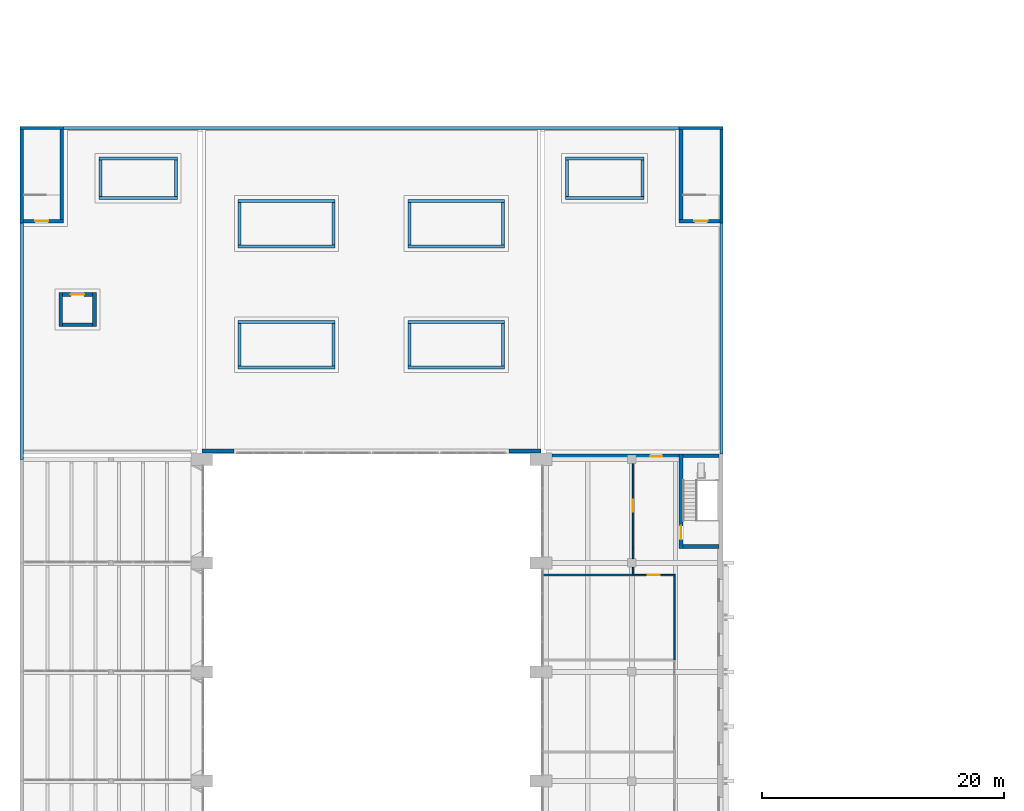
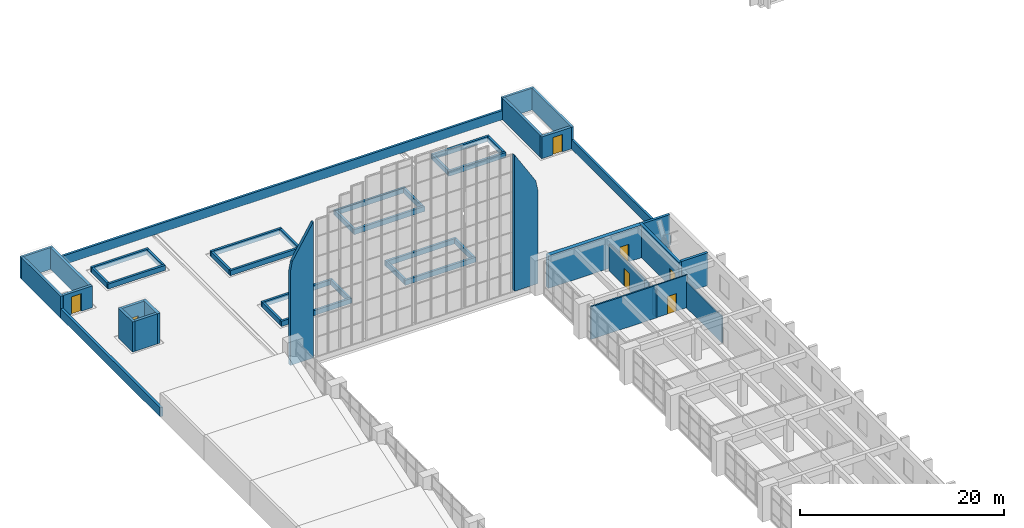
# One storey, part 33 of 43: 51 walls, 7 doors, 7 openings.
"""IFC4 building model written with IfcOpenShell, lengths in metres."""

from ifc_helpers import new_model, si_unit, direction, frame, frame_2d, origin, place, context, subcontext, project, spatial, polyline, rectangle, outline, extrude, material, layer, layer_set, type_object, element, fill, save


model = new_model("IFC4")

# Units and contexts
model_context = context("Model", 3, precision=1e-05, world=origin(), true_north=direction((0.0, 1.0)))
body_context = subcontext(model_context, "Body", "Model", "MODEL_VIEW")
ifc_project = project(units=[si_unit("LENGTHUNIT", "METRE"), si_unit("AREAUNIT", "SQUARE_METRE"), si_unit("VOLUMEUNIT", "CUBIC_METRE"), si_unit("PLANEANGLEUNIT", "RADIAN"), si_unit("MASSUNIT", "GRAM", prefix="KILO")], contexts=[model_context])

# Site, building, storey
site_placement = place(None, origin())
site = spatial("IfcSite", under=ifc_project, at=site_placement, CompositionType="ELEMENT")
building_placement = place(site_placement, origin())
building = spatial("IfcBuilding", under=site, at=building_placement, Name="Elmora Arch Market Hall", CompositionType="ELEMENT")
storey_placement = place(building_placement, frame((0.0, 0.0, 10.199951171875)))
storey = spatial("IfcBuildingStorey", under=building, at=storey_placement, Name="L02", CompositionType="ELEMENT", Elevation=10.199951171875)

# Walls
ifc_material_1 = material(Name="Concrete C40/50", Category="concrete")
ifc_layer_1 = layer(ifc_material_1, 0.35009765625)
ifc_layer_set_1 = layer_set([ifc_layer_1], Name="Concrete C40/50")
wall_type_1 = type_object("IfcWallType", Name="Board-marked concrete wall 350", PredefinedType="SOLIDWALL", material=ifc_layer_set_1)
for number, where, z_axis, x_axis, name in (
    (1, (15.0, 99.22509765625, 0.60009765625), (0.0, 0.0, 1.0), (1.0, 0.0, 0.0), "North gable cheek wall W"),
    (2, (43.0, 99.22509765625, 0.60009765625), (0.0, 0.0, 1.0), (-1.0, 0.0, 0.0), "North gable cheek wall E"),
):
    element("IfcWall", number, at=place(storey_placement, frame(where, z_axis=z_axis, x_axis=x_axis)), inside=storey, type_object=wall_type_1, Name=name, PredefinedType="SOLIDWALL", context=body_context, shape_type="SweptSolid", body=[
        extrude(outline(polyline([(0.0, 0.0), (2.64990234375, 0.0), (2.64990234375, 16.2373046875), (2.549560546875, 16.163330078125), (0.23046875, 12.368408203125), (0.0, 11.133056640625), (0.0, 0.0)])), frame((0.0, 0.175048828125, 0.0), z_axis=(0.0, -1.0, 0.0), x_axis=(1.0, 0.0, 0.0)), (0.0, 0.0, 1.0), 0.35009765625),
    ])

# Wall, opening, door
ifc_material_2 = material(Name="Concrete C40/50", Category="concrete")
ifc_layer_2 = layer(ifc_material_2, 0.449951171875)
ifc_layer_set_2 = layer_set([ifc_layer_2], Name="Concrete C40/50")
wall_type_2 = type_object("IfcWallType", Name="Board-marked concrete wall 450", PredefinedType="SOLIDWALL", material=ifc_layer_set_2)
wall_1_placement = place(storey_placement, frame((43.89990234375, 98.77490234375, 0.0), z_axis=(0.0, 0.0, 1.0), x_axis=(1.0, 0.0, 0.0)))
wall_1 = element("IfcWall", 3, at=wall_1_placement, inside=storey, type_object=wall_type_2, Name="Facade wall north EW L02", PredefinedType="SOLIDWALL", context=body_context, shape_type="SweptSolid", body=[
    extrude(rectangle(XDim=10.800048828125, YDim=0.449951171875, at=frame_2d((5.39990234375, 0.0))), origin(), (0.0, 0.0, 1.0), 3.900146484375),
])
opening_1_placement = place(wall_1_placement, frame((8.10009765625, 0.0, 0.0)))
opening_1 = element("IfcOpeningElement", 4, at=opening_1_placement, cuts=wall_1, Name="Opening D-L02-013", PredefinedType="OPENING", context=body_context, shape_type="SweptSolid", body=[
    extrude(rectangle(XDim=1.0, YDim=2.10009765625, at=frame_2d((0.5, 1.050048828125))), frame((0.0, 0.23486328125, 0.0), z_axis=(0.0, -1.0, 0.0), x_axis=(1.0, 0.0, 0.0)), (0.0, 0.0, 1.0), 0.469970703125),
])
ifc_material_3 = material(Name="Timber door set", Category="wood")
door_type_1 = type_object("IfcDoorType", Name="Door 1000 x 2100", OperationType="SINGLE_SWING_LEFT", PredefinedType="DOOR", material=ifc_material_3)
door_1_placement = place(opening_1_placement, origin())
door_1 = element("IfcDoor", 5, at=door_1_placement, inside=storey, type_object=door_type_1, Name="D-L02-013", OperationType="SINGLE_SWING_LEFT", OverallHeight=2.10009765625, OverallWidth=1.0, PredefinedType="DOOR", context=body_context, shape_type="SweptSolid", body=[
    extrude(rectangle(XDim=1.0, YDim=2.10009765625, at=frame_2d((0.5, 1.050048828125))), frame((0.0, 0.02490234375, 0.0), z_axis=(0.0, -1.0, 0.0), x_axis=(1.0, 0.0, 0.0)), (0.0, 0.0, 1.0), 0.050048828125),
])
fill(opening_1, door_1)

# Walls
ifc_material_4 = material(Name="Concrete C40/50", Category="concrete")
ifc_layer_3 = layer(ifc_material_4, 0.25)
ifc_layer_set_3 = layer_set([ifc_layer_3], Name="Concrete C40/50")
wall_type_3 = type_object("IfcWallType", Name="Concrete parapet 250", PredefinedType="PARAPET", material=ifc_layer_set_3)
wall_2_placement = place(storey_placement, frame((3.60009765625, 125.875, 0.0), z_axis=(0.0, 0.0, 1.0), x_axis=(1.0, 0.0, 0.0)))
element("IfcWall", 6, at=wall_2_placement, inside=storey, type_object=wall_type_3, Name="Garden parapet north", PredefinedType="PARAPET", context=body_context, shape_type="SweptSolid", body=[
    extrude(rectangle(XDim=50.7998046875, YDim=0.25, at=frame_2d((25.39990234375, 0.0))), origin(), (0.0, 0.0, 1.0), 1.10009765625),
])
wall_3_placement = place(storey_placement, frame((57.875, 118.050048828125, 0.0), z_axis=(0.0, 0.0, 1.0), x_axis=(0.0, -1.0, 0.0)))
element("IfcWall", 7, at=wall_3_placement, inside=storey, type_object=wall_type_3, Name="Garden parapet east", PredefinedType="PARAPET", context=body_context, shape_type="SweptSolid", body=[
    extrude(rectangle(XDim=19.050048828125, YDim=0.25, at=frame_2d((9.52490234375, 0.0))), origin(), (0.0, 0.0, 1.0), 1.10009765625),
])
ifc_material_5 = material(Name="Concrete C40/50", Category="concrete")
ifc_layer_4 = layer(ifc_material_5, 0.300048828125)
ifc_layer_set_4 = layer_set([ifc_layer_4], Name="Concrete C40/50")
wall_type_4 = type_object("IfcWallType", Name="Concrete parapet 300", PredefinedType="PARAPET", material=ifc_layer_set_4)
wall_4_placement = place(storey_placement, frame((0.14990234375, 98.550048828125, 0.0), z_axis=(0.0, 0.0, 1.0), x_axis=(0.0, 1.0, 0.0)))
element("IfcWall", 8, at=wall_4_placement, inside=storey, type_object=wall_type_4, Name="Party wall parapet pavilion", PredefinedType="PARAPET", context=body_context, shape_type="SweptSolid", body=[
    extrude(rectangle(XDim=19.5, YDim=0.300048828125, at=frame_2d((9.75, 0.0))), origin(), (0.0, 0.0, 1.0), 1.10009765625),
])
ifc_material_6 = material(Name="Concrete C40/50", Category="concrete")
ifc_layer_5 = layer(ifc_material_6, 0.25)
ifc_layer_set_5 = layer_set([ifc_layer_5], Name="Concrete C40/50")
wall_type_5 = type_object("IfcWallType", Name="Garden planter wall 250", PredefinedType="SOLIDWALL", material=ifc_layer_set_5)
for number, where, z_axis, x_axis, name in (
    (9, (18.0, 106.125, 0.0), (0.0, 0.0, 1.0), (1.0, 0.0, 0.0), "Planter wall 1 S"),
    (10, (18.0, 109.875, 0.0), (0.0, 0.0, 1.0), (1.0, 0.0, 0.0), "Planter wall 1 N"),
):
    element("IfcWall", number, at=place(storey_placement, frame(where, z_axis=z_axis, x_axis=x_axis)), inside=storey, type_object=wall_type_5, Name=name, PredefinedType="SOLIDWALL", context=body_context, shape_type="SweptSolid", body=[
        extrude(rectangle(XDim=8.0, YDim=0.25, at=frame_2d((4.0, 0.0))), origin(), (0.0, 0.0, 1.0), 0.60009765625),
    ])
for number, where, z_axis, x_axis, name in (
    (11, (18.125, 106.25, 0.0), (0.0, 0.0, 1.0), (0.0, 1.0, 0.0), "Planter wall 1 W"),
    (12, (25.875, 106.25, 0.0), (0.0, 0.0, 1.0), (0.0, 1.0, 0.0), "Planter wall 1 E"),
):
    element("IfcWall", number, at=place(storey_placement, frame(where, z_axis=z_axis, x_axis=x_axis)), inside=storey, type_object=wall_type_5, Name=name, PredefinedType="SOLIDWALL", context=body_context, shape_type="SweptSolid", body=[
        extrude(rectangle(XDim=3.5, YDim=0.25, at=frame_2d((1.75, 0.0))), origin(), (0.0, 0.0, 1.0), 0.60009765625),
    ])
for number, where, z_axis, x_axis, name in (
    (13, (32.0, 106.125, 0.0), (0.0, 0.0, 1.0), (1.0, 0.0, 0.0), "Planter wall 2 S"),
    (14, (32.0, 109.875, 0.0), (0.0, 0.0, 1.0), (1.0, 0.0, 0.0), "Planter wall 2 N"),
):
    element("IfcWall", number, at=place(storey_placement, frame(where, z_axis=z_axis, x_axis=x_axis)), inside=storey, type_object=wall_type_5, Name=name, PredefinedType="SOLIDWALL", context=body_context, shape_type="SweptSolid", body=[
        extrude(rectangle(XDim=8.0, YDim=0.25, at=frame_2d((4.0, 0.0))), origin(), (0.0, 0.0, 1.0), 0.60009765625),
    ])
for number, where, z_axis, x_axis, name in (
    (15, (32.125, 106.25, 0.0), (0.0, 0.0, 1.0), (0.0, 1.0, 0.0), "Planter wall 2 W"),
    (16, (39.875, 106.25, 0.0), (0.0, 0.0, 1.0), (0.0, 1.0, 0.0), "Planter wall 2 E"),
):
    element("IfcWall", number, at=place(storey_placement, frame(where, z_axis=z_axis, x_axis=x_axis)), inside=storey, type_object=wall_type_5, Name=name, PredefinedType="SOLIDWALL", context=body_context, shape_type="SweptSolid", body=[
        extrude(rectangle(XDim=3.5, YDim=0.25, at=frame_2d((1.75, 0.0))), origin(), (0.0, 0.0, 1.0), 0.60009765625),
    ])
for number, where, z_axis, x_axis, name in (
    (17, (18.0, 116.125, 0.0), (0.0, 0.0, 1.0), (1.0, 0.0, 0.0), "Planter wall 3 S"),
    (18, (18.0, 119.875, 0.0), (0.0, 0.0, 1.0), (1.0, 0.0, 0.0), "Planter wall 3 N"),
):
    element("IfcWall", number, at=place(storey_placement, frame(where, z_axis=z_axis, x_axis=x_axis)), inside=storey, type_object=wall_type_5, Name=name, PredefinedType="SOLIDWALL", context=body_context, shape_type="SweptSolid", body=[
        extrude(rectangle(XDim=8.0, YDim=0.25, at=frame_2d((4.0, 0.0))), origin(), (0.0, 0.0, 1.0), 0.60009765625),
    ])
for number, where, z_axis, x_axis, name in (
    (19, (18.125, 116.25, 0.0), (0.0, 0.0, 1.0), (0.0, 1.0, 0.0), "Planter wall 3 W"),
    (20, (25.875, 116.25, 0.0), (0.0, 0.0, 1.0), (0.0, 1.0, 0.0), "Planter wall 3 E"),
):
    element("IfcWall", number, at=place(storey_placement, frame(where, z_axis=z_axis, x_axis=x_axis)), inside=storey, type_object=wall_type_5, Name=name, PredefinedType="SOLIDWALL", context=body_context, shape_type="SweptSolid", body=[
        extrude(rectangle(XDim=3.5, YDim=0.25, at=frame_2d((1.75, 0.0))), origin(), (0.0, 0.0, 1.0), 0.60009765625),
    ])
for number, where, z_axis, x_axis, name in (
    (21, (32.0, 116.125, 0.0), (0.0, 0.0, 1.0), (1.0, 0.0, 0.0), "Planter wall 4 S"),
    (22, (32.0, 119.875, 0.0), (0.0, 0.0, 1.0), (1.0, 0.0, 0.0), "Planter wall 4 N"),
):
    element("IfcWall", number, at=place(storey_placement, frame(where, z_axis=z_axis, x_axis=x_axis)), inside=storey, type_object=wall_type_5, Name=name, PredefinedType="SOLIDWALL", context=body_context, shape_type="SweptSolid", body=[
        extrude(rectangle(XDim=8.0, YDim=0.25, at=frame_2d((4.0, 0.0))), origin(), (0.0, 0.0, 1.0), 0.60009765625),
    ])
for number, where, z_axis, x_axis, name in (
    (23, (32.125, 116.25, 0.0), (0.0, 0.0, 1.0), (0.0, 1.0, 0.0), "Planter wall 4 W"),
    (24, (39.875, 116.25, 0.0), (0.0, 0.0, 1.0), (0.0, 1.0, 0.0), "Planter wall 4 E"),
):
    element("IfcWall", number, at=place(storey_placement, frame(where, z_axis=z_axis, x_axis=x_axis)), inside=storey, type_object=wall_type_5, Name=name, PredefinedType="SOLIDWALL", context=body_context, shape_type="SweptSolid", body=[
        extrude(rectangle(XDim=3.5, YDim=0.25, at=frame_2d((1.75, 0.0))), origin(), (0.0, 0.0, 1.0), 0.60009765625),
    ])
for number, where, z_axis, x_axis, name in (
    (25, (6.5, 120.125, 0.0), (0.0, 0.0, 1.0), (1.0, 0.0, 0.0), "Planter wall 5 S"),
    (26, (6.5, 123.375, 0.0), (0.0, 0.0, 1.0), (1.0, 0.0, 0.0), "Planter wall 5 N"),
):
    element("IfcWall", number, at=place(storey_placement, frame(where, z_axis=z_axis, x_axis=x_axis)), inside=storey, type_object=wall_type_5, Name=name, PredefinedType="SOLIDWALL", context=body_context, shape_type="SweptSolid", body=[
        extrude(rectangle(XDim=6.5, YDim=0.25, at=frame_2d((3.25, 0.0))), origin(), (0.0, 0.0, 1.0), 0.60009765625),
    ])
for number, where, z_axis, x_axis, name in (
    (27, (6.625, 120.25, 0.0), (0.0, 0.0, 1.0), (0.0, 1.0, 0.0), "Planter wall 5 W"),
    (28, (12.875, 120.25, 0.0), (0.0, 0.0, 1.0), (0.0, 1.0, 0.0), "Planter wall 5 E"),
):
    element("IfcWall", number, at=place(storey_placement, frame(where, z_axis=z_axis, x_axis=x_axis)), inside=storey, type_object=wall_type_5, Name=name, PredefinedType="SOLIDWALL", context=body_context, shape_type="SweptSolid", body=[
        extrude(rectangle(XDim=3.0, YDim=0.25, at=frame_2d((1.5, 0.0))), origin(), (0.0, 0.0, 1.0), 0.60009765625),
    ])
for number, where, z_axis, x_axis, name in (
    (29, (45.0, 120.125, 0.0), (0.0, 0.0, 1.0), (1.0, 0.0, 0.0), "Planter wall 6 S"),
    (30, (45.0, 123.375, 0.0), (0.0, 0.0, 1.0), (1.0, 0.0, 0.0), "Planter wall 6 N"),
):
    element("IfcWall", number, at=place(storey_placement, frame(where, z_axis=z_axis, x_axis=x_axis)), inside=storey, type_object=wall_type_5, Name=name, PredefinedType="SOLIDWALL", context=body_context, shape_type="SweptSolid", body=[
        extrude(rectangle(XDim=6.5, YDim=0.25, at=frame_2d((3.25, 0.0))), origin(), (0.0, 0.0, 1.0), 0.60009765625),
    ])
for number, where, z_axis, x_axis, name in (
    (31, (45.125, 120.25, 0.0), (0.0, 0.0, 1.0), (0.0, 1.0, 0.0), "Planter wall 6 W"),
    (32, (51.375, 120.25, 0.0), (0.0, 0.0, 1.0), (0.0, 1.0, 0.0), "Planter wall 6 E"),
):
    element("IfcWall", number, at=place(storey_placement, frame(where, z_axis=z_axis, x_axis=x_axis)), inside=storey, type_object=wall_type_5, Name=name, PredefinedType="SOLIDWALL", context=body_context, shape_type="SweptSolid", body=[
        extrude(rectangle(XDim=3.0, YDim=0.25, at=frame_2d((1.5, 0.0))), origin(), (0.0, 0.0, 1.0), 0.60009765625),
    ])
ifc_material_7 = material(Name="Concrete C40/50", Category="concrete")
ifc_layer_6 = layer(ifc_material_7, 0.300048828125)
ifc_layer_set_6 = layer_set([ifc_layer_6], Name="Concrete C40/50")
wall_type_6 = type_object("IfcWallType", Name="Lift shaft wall 300", PredefinedType="SHEAR", material=ifc_layer_set_6)
for number, where, z_axis, x_axis, name in (
    (33, (3.35009765625, 109.5, 0.0), (0.0, 0.0, 1.0), (0.0, 1.0, 0.0), "Lift shaft wall PL1 W L02"),
    (34, (6.14990234375, 109.5, 0.0), (0.0, 0.0, 1.0), (0.0, 1.0, 0.0), "Lift shaft wall PL1 E L02"),
):
    element("IfcWall", number, at=place(storey_placement, frame(where, z_axis=z_axis, x_axis=x_axis)), inside=storey, type_object=wall_type_6, Name=name, PredefinedType="SHEAR", context=body_context, shape_type="SweptSolid", body=[
        extrude(rectangle(XDim=2.800048828125, YDim=0.300048828125, at=frame_2d((1.39990234375, 0.0))), origin(), (0.0, 0.0, 1.0), 3.60009765625),
    ])
wall_5_placement = place(storey_placement, frame((3.5, 109.64990234375, 0.0), z_axis=(0.0, 0.0, 1.0), x_axis=(1.0, 0.0, 0.0)))
element("IfcWall", 35, at=wall_5_placement, inside=storey, type_object=wall_type_6, Name="Lift shaft wall PL1 S L02", PredefinedType="SHEAR", context=body_context, shape_type="SweptSolid", body=[
    extrude(rectangle(XDim=2.5, YDim=0.300048828125, at=frame_2d((1.25, 0.0))), origin(), (0.0, 0.0, 1.0), 3.60009765625),
])

# Wall, opening, door
wall_6_placement = place(storey_placement, frame((3.5, 112.14990234375, 0.0), z_axis=(0.0, 0.0, 1.0), x_axis=(1.0, 0.0, 0.0)))
wall_6 = element("IfcWall", 36, at=wall_6_placement, inside=storey, type_object=wall_type_6, Name="Lift shaft wall PL1 N L02", PredefinedType="SHEAR", context=body_context, shape_type="SweptSolid", body=[
    extrude(rectangle(XDim=2.5, YDim=0.300048828125, at=frame_2d((1.25, 0.0))), origin(), (0.0, 0.0, 1.0), 3.60009765625),
])
opening_2_placement = place(wall_6_placement, frame((0.699951171875, 0.0, 0.0)))
opening_2 = element("IfcOpeningElement", 37, at=opening_2_placement, cuts=wall_6, Name="Opening LD-PL1-L02", PredefinedType="OPENING", context=body_context, shape_type="SweptSolid", body=[
    extrude(rectangle(XDim=1.10009765625, YDim=2.10009765625, at=frame_2d((0.550048828125, 1.050048828125))), frame((0.0, 0.159912109375, 0.0), z_axis=(0.0, -1.0, 0.0), x_axis=(1.0, 0.0, 0.0)), (0.0, 0.0, 1.0), 0.320068359375),
])
ifc_material_8 = material(Name="Stainless steel ASTM A240 Type 304", Category="steel")
door_type_2 = type_object("IfcDoorType", Name="Lift landing door 1100 x 2100 FD90", OperationType="SLIDING_TO_LEFT", PredefinedType="DOOR", material=ifc_material_8)
door_2_placement = place(opening_2_placement, origin())
door_2 = element("IfcDoor", 38, at=door_2_placement, inside=storey, type_object=door_type_2, Name="Landing door PL1 L02", OperationType="SLIDING_TO_LEFT", OverallHeight=2.10009765625, OverallWidth=1.10009765625, PredefinedType="DOOR", context=body_context, shape_type="SweptSolid", body=[
    extrude(rectangle(XDim=1.10009765625, YDim=2.10009765625, at=frame_2d((0.550048828125, 1.050048828125))), frame((0.0, 0.02490234375, 0.0), z_axis=(0.0, -1.0, 0.0), x_axis=(1.0, 0.0, 0.0)), (0.0, 0.0, 1.0), 0.050048828125),
])
fill(opening_2, door_2)

ifc_material_9 = material(Name="Gypsum board on metal studs")
ifc_layer_7 = layer(ifc_material_9, 0.125)
ifc_layer_set_7 = layer_set([ifc_layer_7], Name="Gypsum board on metal studs")
wall_type_7 = type_object("IfcWallType", Name="Partition 125 EI 60", PredefinedType="PARTITIONING", material=ifc_layer_set_7)
wall_7_placement = place(storey_placement, frame((50.60009765625, 89.0, 0.0), z_axis=(0.0, 0.0, 1.0), x_axis=(1.0, 0.0, 0.0)))
wall_7 = element("IfcWall", 39, at=wall_7_placement, inside=storey, type_object=wall_type_7, Name="Partition PT-L02-014", PredefinedType="PARTITIONING", context=body_context, shape_type="SweptSolid", body=[
    extrude(rectangle(XDim=3.46240234375, YDim=0.125, at=frame_2d((1.731201171875, 0.0))), origin(), (0.0, 0.0, 1.0), 3.900146484375),
])
opening_3_placement = place(wall_7_placement, frame((1.199951171875, 0.0, 0.0)))
opening_3 = element("IfcOpeningElement", 40, at=opening_3_placement, cuts=wall_7, Name="Opening D-L02-011", PredefinedType="OPENING", context=body_context, shape_type="SweptSolid", body=[
    extrude(rectangle(XDim=1.0, YDim=2.10009765625, at=frame_2d((0.5, 1.050048828125))), frame((0.0, 0.072509765625, 0.0), z_axis=(0.0, -1.0, 0.0), x_axis=(1.0, 0.0, 0.0)), (0.0, 0.0, 1.0), 0.14501953125),
])
ifc_material_10 = material(Name="Steel ASTM A653 galvanised", Category="steel")
door_type_3 = type_object("IfcDoorType", Name="Door 1000 x 2100 FD45", OperationType="SINGLE_SWING_LEFT", PredefinedType="DOOR", material=ifc_material_10)
door_3_placement = place(opening_3_placement, frame((1.0, 0.0, 0.0), z_axis=(0.0, 0.0, 1.0), x_axis=(-1.0, 0.0, 0.0)))
door_3 = element("IfcDoor", 41, at=door_3_placement, inside=storey, type_object=door_type_3, Name="D-L02-011", OperationType="SINGLE_SWING_LEFT", OverallHeight=2.10009765625, OverallWidth=1.0, PredefinedType="DOOR", context=body_context, shape_type="SweptSolid", body=[
    extrude(rectangle(XDim=1.0, YDim=2.10009765625, at=frame_2d((0.5, 1.050048828125))), frame((0.0, 0.02490234375, 0.0), z_axis=(0.0, -1.0, 0.0), x_axis=(1.0, 0.0, 0.0)), (0.0, 0.0, 1.0), 0.050048828125),
])
fill(opening_3, door_3)

# Walls
wall_8_placement = place(storey_placement, frame((50.60009765625, 89.08740234375, 0.0), z_axis=(0.0, 0.0, 1.0), x_axis=(0.0, 1.0, 0.0)))
element("IfcWall", 42, at=wall_8_placement, inside=storey, type_object=wall_type_7, Name="Partition PT-L02-030-30", PredefinedType="PARTITIONING", context=body_context, shape_type="SweptSolid", body=[
    extrude(rectangle(XDim=0.5625, YDim=0.125, at=frame_2d((0.28125, 0.0))), origin(), (0.0, 0.0, 1.0), 3.199951171875),
])
wall_9_placement = place(storey_placement, frame((50.60009765625, 90.35009765625, 0.0), z_axis=(0.0, 0.0, 1.0), x_axis=(0.0, 1.0, 0.0)))
element("IfcWall", 43, at=wall_9_placement, inside=storey, type_object=wall_type_7, Name="Partition PT-L02-030-31", PredefinedType="PARTITIONING", context=body_context, shape_type="SweptSolid", body=[
    extrude(rectangle(XDim=0.85986328125, YDim=0.125, at=frame_2d((0.429931640625, 0.0))), origin(), (0.0, 0.0, 1.0), 3.199951171875),
])

# Wall, opening, door
wall_10_placement = place(storey_placement, frame((50.60009765625, 91.2099609375, 0.0), z_axis=(0.0, 0.0, 1.0), x_axis=(0.0, 1.0, 0.0)))
wall_10 = element("IfcWall", 44, at=wall_10_placement, inside=storey, type_object=wall_type_7, Name="Partition PT-L02-031", PredefinedType="PARTITIONING", context=body_context, shape_type="SweptSolid", body=[
    extrude(rectangle(XDim=6.989990234375, YDim=0.125, at=frame_2d((3.4951171875, 0.0))), origin(), (0.0, 0.0, 1.0), 3.199951171875),
])
opening_4_placement = place(wall_10_placement, frame((3.0, 0.0, 0.0)))
opening_4 = element("IfcOpeningElement", 45, at=opening_4_placement, cuts=wall_10, Name="Opening D-L02-012", PredefinedType="OPENING", context=body_context, shape_type="SweptSolid", body=[
    extrude(rectangle(XDim=1.0, YDim=2.10009765625, at=frame_2d((0.5, 1.050048828125))), frame((0.0, 0.072509765625, 0.0), z_axis=(0.0, -1.0, 0.0), x_axis=(1.0, 0.0, 0.0)), (0.0, 0.0, 1.0), 0.14501953125),
])
door_4_placement = place(opening_4_placement, origin())
door_4 = element("IfcDoor", 46, at=door_4_placement, inside=storey, type_object=door_type_3, Name="D-L02-012", OperationType="SINGLE_SWING_RIGHT", OverallHeight=2.10009765625, OverallWidth=1.0, PredefinedType="DOOR", context=body_context, shape_type="SweptSolid", body=[
    extrude(rectangle(XDim=1.0, YDim=2.10009765625, at=frame_2d((0.5, 1.050048828125))), frame((0.0, 0.02490234375, 0.0), z_axis=(0.0, -1.0, 0.0), x_axis=(1.0, 0.0, 0.0)), (0.0, 0.0, 1.0), 0.050048828125),
])
fill(opening_4, door_4)

# Walls
wall_11_placement = place(storey_placement, frame((54.0, 82.0, 0.0), z_axis=(0.0, 0.0, 1.0), x_axis=(0.0, 1.0, 0.0)))
element("IfcWall", 47, at=wall_11_placement, inside=storey, type_object=wall_type_7, Name="Partition PT-L02-041", PredefinedType="PARTITIONING", context=body_context, shape_type="SweptSolid", body=[
    extrude(rectangle(XDim=6.9375, YDim=0.125, at=frame_2d((3.46875, 0.0))), origin(), (0.0, 0.0, 1.0), 3.150146484375),
])
ifc_material_11 = material(Name="Gypsum board on metal studs")
ifc_layer_8 = layer(ifc_material_11, 0.175048828125)
ifc_layer_set_8 = layer_set([ifc_layer_8], Name="Gypsum board on metal studs")
wall_type_8 = type_object("IfcWallType", Name="Partition 175 EI 60", PredefinedType="PARTITIONING", material=ifc_layer_set_8)
wall_12_placement = place(storey_placement, frame((43.14990234375, 89.0, 0.0), z_axis=(0.0, 0.0, 1.0), x_axis=(1.0, 0.0, 0.0)))
element("IfcWall", 48, at=wall_12_placement, inside=storey, type_object=wall_type_8, Name="Partition PT-L02-013", PredefinedType="PARTITIONING", context=body_context, shape_type="SweptSolid", body=[
    extrude(rectangle(XDim=7.4501953125, YDim=0.175048828125, at=frame_2d((3.72509765625, 0.0))), origin(), (0.0, 0.0, 1.0), 3.900146484375),
])
ifc_material_12 = material(Name="Concrete C40/50", Category="concrete")
ifc_layer_9 = layer(ifc_material_12, 0.25)
ifc_layer_set_9 = layer_set([ifc_layer_9], Name="Concrete C40/50")
wall_type_9 = type_object("IfcWallType", Name="Stair bulkhead wall 250", PredefinedType="SOLIDWALL", material=ifc_layer_set_9)
wall_13_placement = place(storey_placement, frame((0.0, 125.875, 0.0), z_axis=(0.0, 0.0, 1.0), x_axis=(1.0, 0.0, 0.0)))
element("IfcWall", 49, at=wall_13_placement, inside=storey, type_object=wall_type_9, Name="Stair bulkhead wall ST-W N", PredefinedType="SOLIDWALL", context=body_context, shape_type="SweptSolid", body=[
    extrude(rectangle(XDim=3.60009765625, YDim=0.25, at=frame_2d((1.800048828125, 0.0))), origin(), (0.0, 0.0, 1.0), 2.60009765625),
])
wall_14_placement = place(storey_placement, frame((57.875, 118.050048828125, 0.0), z_axis=(0.0, 0.0, 1.0), x_axis=(0.0, 1.0, 0.0)))
element("IfcWall", 50, at=wall_14_placement, inside=storey, type_object=wall_type_9, Name="Stair bulkhead wall ST-E E", PredefinedType="SOLIDWALL", context=body_context, shape_type="SweptSolid", body=[
    extrude(rectangle(XDim=7.699951171875, YDim=0.25, at=frame_2d((3.85009765625, 0.0))), origin(), (0.0, 0.0, 1.0), 2.60009765625),
])
wall_15_placement = place(storey_placement, frame((54.39990234375, 125.875, 0.0), z_axis=(0.0, 0.0, 1.0), x_axis=(1.0, 0.0, 0.0)))
element("IfcWall", 51, at=wall_15_placement, inside=storey, type_object=wall_type_9, Name="Stair bulkhead wall ST-E N", PredefinedType="SOLIDWALL", context=body_context, shape_type="SweptSolid", body=[
    extrude(rectangle(XDim=3.60009765625, YDim=0.25, at=frame_2d((1.800048828125, 0.0))), origin(), (0.0, 0.0, 1.0), 2.60009765625),
])
ifc_material_13 = material(Name="Concrete C40/50", Category="concrete")
ifc_layer_10 = layer(ifc_material_13, 0.300048828125)
ifc_layer_set_10 = layer_set([ifc_layer_10], Name="Concrete C40/50")
wall_type_10 = type_object("IfcWallType", Name="Stair wall 300", PredefinedType="SHEAR", material=ifc_layer_set_10)
for number, where, z_axis, x_axis, name in (
    (52, (54.699951171875, 98.85009765625, 0.0), (0.0, 0.0, 1.0), (1.0, 0.0, 0.0), "Stair wall ST-EN N L02"),
    (53, (54.699951171875, 91.35009765625, 0.0), (0.0, 0.0, 1.0), (1.0, 0.0, 0.0), "Stair wall ST-EN S L02"),
):
    element("IfcWall", number, at=place(storey_placement, frame(where, z_axis=z_axis, x_axis=x_axis)), inside=storey, type_object=wall_type_10, Name=name, PredefinedType="SHEAR", context=body_context, shape_type="SweptSolid", body=[
        extrude(rectangle(XDim=3.0, YDim=0.300048828125, at=frame_2d((1.5, 0.0))), origin(), (0.0, 0.0, 1.0), 3.900146484375),
    ])

# Wall, opening, door
wall_16_placement = place(storey_placement, frame((54.550048828125, 91.199951171875, 0.0), z_axis=(0.0, 0.0, 1.0), x_axis=(0.0, 1.0, 0.0)))
wall_16 = element("IfcWall", 54, at=wall_16_placement, inside=storey, type_object=wall_type_10, Name="Stair wall ST-EN W L02", PredefinedType="SHEAR", context=body_context, shape_type="SweptSolid", body=[
    extrude(rectangle(XDim=7.800048828125, YDim=0.300048828125, at=frame_2d((3.89990234375, 0.0))), origin(), (0.0, 0.0, 1.0), 3.900146484375),
])
opening_5_placement = place(wall_16_placement, frame((0.75, 0.0, 0.0)))
opening_5 = element("IfcOpeningElement", 55, at=opening_5_placement, cuts=wall_16, Name="Opening ST-EN-L02", PredefinedType="OPENING", context=body_context, shape_type="SweptSolid", body=[
    extrude(rectangle(XDim=1.10009765625, YDim=2.10009765625, at=frame_2d((0.550048828125, 1.050048828125))), frame((0.0, 0.159912109375, 0.0), z_axis=(0.0, -1.0, 0.0), x_axis=(1.0, 0.0, 0.0)), (0.0, 0.0, 1.0), 0.320068359375),
])
ifc_material_14 = material(Name="Steel ASTM A653 galvanised", Category="steel")
door_type_4 = type_object("IfcDoorType", Name="Stair door 1100 x 2100 FD90", OperationType="SINGLE_SWING_LEFT", PredefinedType="DOOR", material=ifc_material_14)
door_5_placement = place(opening_5_placement, origin())
door_5 = element("IfcDoor", 56, at=door_5_placement, inside=storey, type_object=door_type_4, Name="Stair door ST-EN L02", OperationType="SINGLE_SWING_LEFT", OverallHeight=2.10009765625, OverallWidth=1.10009765625, PredefinedType="DOOR", context=body_context, shape_type="SweptSolid", body=[
    extrude(rectangle(XDim=1.10009765625, YDim=2.10009765625, at=frame_2d((0.550048828125, 1.050048828125))), frame((0.0, 0.02490234375, 0.0), z_axis=(0.0, -1.0, 0.0), x_axis=(1.0, 0.0, 0.0)), (0.0, 0.0, 1.0), 0.050048828125),
])
fill(opening_5, door_5)

wall_17_placement = place(storey_placement, frame((0.300048828125, 118.199951171875, 0.0), z_axis=(0.0, 0.0, 1.0), x_axis=(1.0, 0.0, 0.0)))
wall_17 = element("IfcWall", 57, at=wall_17_placement, inside=storey, type_object=wall_type_10, Name="Stair bulkhead wall ST-W S", PredefinedType="SHEAR", context=body_context, shape_type="SweptSolid", body=[
    extrude(rectangle(XDim=3.300048828125, YDim=0.300048828125, at=frame_2d((1.64990234375, 0.0))), origin(), (0.0, 0.0, 1.0), 2.60009765625),
])
opening_6_placement = place(wall_17_placement, frame((0.949951171875, 0.0, 0.0)))
opening_6 = element("IfcOpeningElement", 58, at=opening_6_placement, cuts=wall_17, Name="Opening ST-W-L02", PredefinedType="OPENING", context=body_context, shape_type="SweptSolid", body=[
    extrude(rectangle(XDim=1.10009765625, YDim=2.10009765625, at=frame_2d((0.550048828125, 1.050048828125))), frame((0.0, 0.159912109375, 0.0), z_axis=(0.0, -1.0, 0.0), x_axis=(1.0, 0.0, 0.0)), (0.0, 0.0, 1.0), 0.320068359375),
])
door_6_placement = place(opening_6_placement, frame((1.10009765625, 0.0, 0.0), z_axis=(0.0, 0.0, 1.0), x_axis=(-1.0, 0.0, 0.0)))
door_6 = element("IfcDoor", 59, at=door_6_placement, inside=storey, type_object=door_type_4, Name="Stair door ST-W L02", OperationType="SINGLE_SWING_RIGHT", OverallHeight=2.10009765625, OverallWidth=1.10009765625, PredefinedType="DOOR", context=body_context, shape_type="SweptSolid", body=[
    extrude(rectangle(XDim=1.10009765625, YDim=2.10009765625, at=frame_2d((0.550048828125, 1.050048828125))), frame((0.0, 0.02490234375, 0.0), z_axis=(0.0, -1.0, 0.0), x_axis=(1.0, 0.0, 0.0)), (0.0, 0.0, 1.0), 0.050048828125),
])
fill(opening_6, door_6)

# Walls
for number, where, z_axis, x_axis, name in (
    (60, (3.449951171875, 118.050048828125, 0.0), (0.0, 0.0, 1.0), (0.0, 1.0, 0.0), "Stair bulkhead wall ST-W E"),
    (61, (0.14990234375, 118.050048828125, 0.0), (0.0, 0.0, 1.0), (0.0, 1.0, 0.0), "Stair bulkhead wall ST-W W"),
):
    element("IfcWall", number, at=place(storey_placement, frame(where, z_axis=z_axis, x_axis=x_axis)), inside=storey, type_object=wall_type_10, Name=name, PredefinedType="SHEAR", context=body_context, shape_type="SweptSolid", body=[
        extrude(rectangle(XDim=7.699951171875, YDim=0.300048828125, at=frame_2d((3.85009765625, 0.0))), origin(), (0.0, 0.0, 1.0), 2.60009765625),
    ])

# Wall, opening, door
wall_18_placement = place(storey_placement, frame((54.39990234375, 118.199951171875, 0.0), z_axis=(0.0, 0.0, 1.0), x_axis=(1.0, 0.0, 0.0)))
wall_18 = element("IfcWall", 62, at=wall_18_placement, inside=storey, type_object=wall_type_10, Name="Stair bulkhead wall ST-E S", PredefinedType="SHEAR", context=body_context, shape_type="SweptSolid", body=[
    extrude(rectangle(XDim=3.35009765625, YDim=0.300048828125, at=frame_2d((1.675048828125, 0.0))), origin(), (0.0, 0.0, 1.0), 2.60009765625),
])
opening_7_placement = place(wall_18_placement, frame((1.25, 0.0, 0.0)))
opening_7 = element("IfcOpeningElement", 63, at=opening_7_placement, cuts=wall_18, Name="Opening ST-E-L02", PredefinedType="OPENING", context=body_context, shape_type="SweptSolid", body=[
    extrude(rectangle(XDim=1.10009765625, YDim=2.10009765625, at=frame_2d((0.550048828125, 1.050048828125))), frame((0.0, 0.159912109375, 0.0), z_axis=(0.0, -1.0, 0.0), x_axis=(1.0, 0.0, 0.0)), (0.0, 0.0, 1.0), 0.320068359375),
])
door_7_placement = place(opening_7_placement, frame((1.10009765625, 0.0, 0.0), z_axis=(0.0, 0.0, 1.0), x_axis=(-1.0, 0.0, 0.0)))
door_7 = element("IfcDoor", 64, at=door_7_placement, inside=storey, type_object=door_type_4, Name="Stair door ST-E L02", OperationType="SINGLE_SWING_LEFT", OverallHeight=2.10009765625, OverallWidth=1.10009765625, PredefinedType="DOOR", context=body_context, shape_type="SweptSolid", body=[
    extrude(rectangle(XDim=1.10009765625, YDim=2.10009765625, at=frame_2d((0.550048828125, 1.050048828125))), frame((0.0, 0.02490234375, 0.0), z_axis=(0.0, -1.0, 0.0), x_axis=(1.0, 0.0, 0.0)), (0.0, 0.0, 1.0), 0.050048828125),
])
fill(opening_7, door_7)

# Wall
wall_19_placement = place(storey_placement, frame((54.550048828125, 118.050048828125, 0.0), z_axis=(0.0, 0.0, 1.0), x_axis=(0.0, 1.0, 0.0)))
element("IfcWall", 65, at=wall_19_placement, inside=storey, type_object=wall_type_10, Name="Stair bulkhead wall ST-E W", PredefinedType="SHEAR", context=body_context, shape_type="SweptSolid", body=[
    extrude(rectangle(XDim=7.699951171875, YDim=0.300048828125, at=frame_2d((3.85009765625, 0.0))), origin(), (0.0, 0.0, 1.0), 2.60009765625),
])

save(model, "model.ifc")
